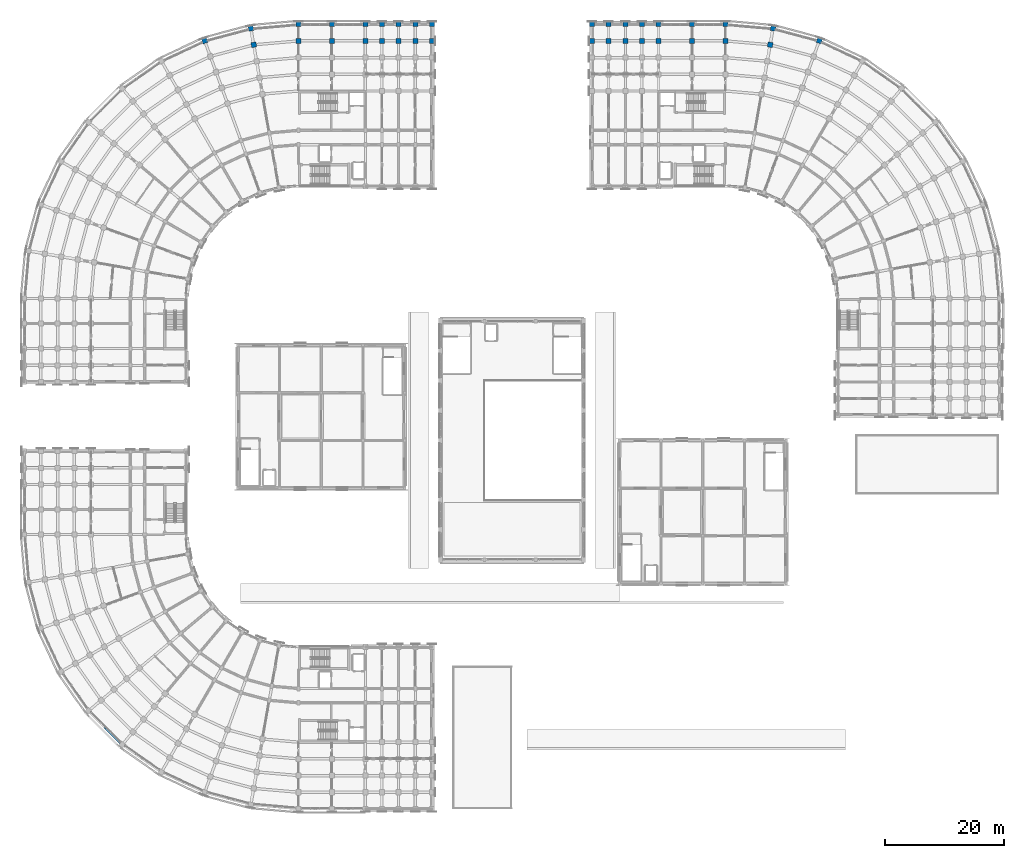
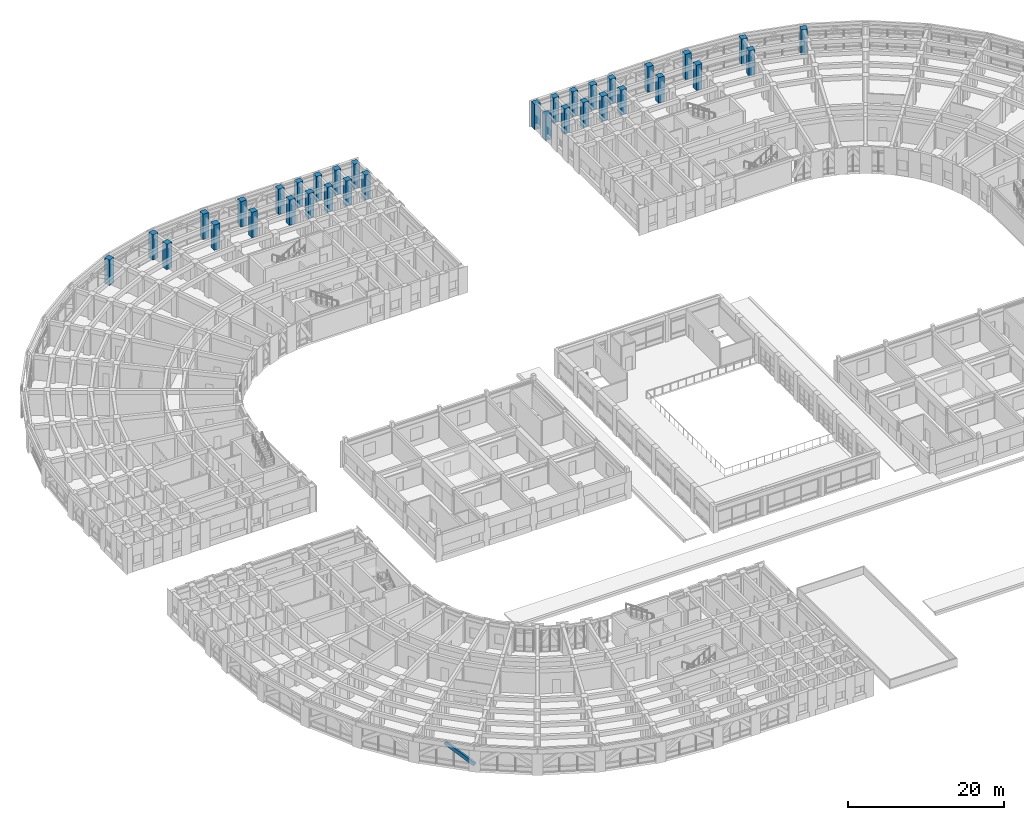
# One storey, part 4 of 97: 34 columns, 1 beam.
"""IFC4 building model written with IfcOpenShell, lengths in metres."""

from ifc_helpers import new_model, si_unit, direction, frame, origin, origin_2d, place, context, subcontext, project, spatial, rectangle, extrude, material, material_profile, profile_set, type_object, element, save


model = new_model("IFC4")

# Units and contexts
model_context = context("Model", 3, precision=1e-05, world=origin(), true_north=direction((0.0, 1.0)))
body_context = subcontext(model_context, "Body", "Model", "MODEL_VIEW")
ifc_project = project(units=[si_unit("LENGTHUNIT", "METRE"), si_unit("AREAUNIT", "SQUARE_METRE"), si_unit("VOLUMEUNIT", "CUBIC_METRE"), si_unit("PLANEANGLEUNIT", "RADIAN"), si_unit("MASSUNIT", "GRAM", prefix="KILO")], contexts=[model_context])

# Site, building, storey
site_placement = place(None, origin())
site = spatial("IfcSite", under=ifc_project, at=site_placement, CompositionType="ELEMENT")
building_placement = place(site_placement, origin())
building = spatial("IfcBuilding", under=site, at=building_placement, Name="Kiranvali Square Residences", CompositionType="ELEMENT")
storey_placement = place(building_placement, frame((0.0, 0.0, 4.5)))
storey = spatial("IfcBuildingStorey", under=building, at=storey_placement, Name="L01", CompositionType="ELEMENT", Elevation=4.5)

# Columns
ifc_material_1 = material(Name="Concrete M50 (50 MPa)", Category="concrete")
ifc_material_profile_1 = material_profile(ifc_material_1, rectangle(XDim=0.85009765625, YDim=0.85009765625, at=origin_2d()), Name="RC 850x850")
ifc_profile_set_1 = profile_set([ifc_material_profile_1], Name="Concrete M50 (50 MPa)")
column_type = type_object("IfcColumnType", Name="COL-M50-850", PredefinedType="COLUMN", material=ifc_profile_set_1)
for number, where, z_axis, x_axis, name in (
    (1, (48.199951171875, 131.0, 0.0), (0.0, 0.0, 1.0), (1.0, 0.0, 0.0), "Block A L01 radial column A00-R6"),
    (2, (48.199951171875, 133.800048828125, 0.0), (0.0, 0.0, 1.0), (1.0, 0.0, 0.0), "Block A L01 radial column A00-R7"),
    (3, (40.698486328125, 130.34375, 0.0), (0.0, 0.0, 1.0), (0.984807753012, 0.173648177667, 0.0), "Block A L01 radial column A01-R6"),
    (4, (40.212158203125, 133.10107421875, 0.0), (0.0, 0.0, 1.0), (0.984807753012, 0.173648177667, 0.0), "Block A L01 radial column A01-R7"),
    (5, (32.467041015625, 131.02587890625, 0.0), (0.0, 0.0, 1.0), (0.939692620786, 0.342020143326, 0.0), "Block A L01 radial column A02-R7"),
    (6, (53.800048828125, 131.0, 0.0), (0.0, 0.0, 1.0), (1.0, 0.0, 0.0), "Block A L01 core-front column U0-R6"),
    (7, (53.800048828125, 133.800048828125, 0.0), (0.0, 0.0, 1.0), (1.0, 0.0, 0.0), "Block A L01 core-front column U0-R7"),
    (8, (59.39990234375, 131.0, 0.0), (0.0, 0.0, 1.0), (1.0, 0.0, 0.0), "Block A L01 Arm 1 column U1-R6"),
    (9, (59.39990234375, 133.800048828125, 0.0), (0.0, 0.0, 1.0), (1.0, 0.0, 0.0), "Block A L01 Arm 1 column U1-R7"),
    (10, (62.199951171875, 131.0, 0.0), (0.0, 0.0, 1.0), (1.0, 0.0, 0.0), "Block A L01 Arm 1 column U2-R6"),
    (11, (62.199951171875, 133.800048828125, 0.0), (0.0, 0.0, 1.0), (1.0, 0.0, 0.0), "Block A L01 Arm 1 column U2-R7"),
    (12, (65.0, 131.0, 0.0), (0.0, 0.0, 1.0), (1.0, 0.0, 0.0), "Block A L01 Arm 1 column U3-R6"),
    (13, (65.0, 133.800048828125, 0.0), (0.0, 0.0, 1.0), (1.0, 0.0, 0.0), "Block A L01 Arm 1 column U3-R7"),
    (14, (67.800048828125, 131.0, 0.0), (0.0, 0.0, 1.0), (1.0, 0.0, 0.0), "Block A L01 Arm 1 column U4-R6"),
    (15, (67.800048828125, 133.800048828125, 0.0), (0.0, 0.0, 1.0), (1.0, 0.0, 0.0), "Block A L01 Arm 1 column U4-R7"),
    (16, (70.60009765625, 131.0, 0.0), (0.0, 0.0, 1.0), (1.0, 0.0, 0.0), "Block A L01 Arm 1 column U5-R6"),
    (17, (70.60009765625, 133.800048828125, 0.0), (0.0, 0.0, 1.0), (1.0, 0.0, 0.0), "Block A L01 Arm 1 column U5-R7"),
    (18, (119.800048828125, 131.0, 0.0), (0.0, 0.0, 1.0), (1.0, 0.0, 0.0), "Block B L01 radial column A00-R6"),
    (19, (119.800048828125, 133.800048828125, 0.0), (0.0, 0.0, 1.0), (1.0, 0.0, 0.0), "Block B L01 radial column A00-R7"),
    (20, (127.301513671875, 130.34375, 0.0), (0.0, 0.0, 1.0), (-0.984807753012, 0.173648177667, 0.0), "Block B L01 radial column A01-R6"),
    (21, (127.787841796875, 133.10107421875, 0.0), (0.0, 0.0, 1.0), (-0.984807753012, 0.173648177667, 0.0), "Block B L01 radial column A01-R7"),
    (22, (135.532958984375, 131.02587890625, 0.0), (0.0, 0.0, 1.0), (-0.939692620786, 0.342020143326, 0.0), "Block B L01 radial column A02-R7"),
    (23, (114.199951171875, 131.0, 0.0), (0.0, 0.0, 1.0), (1.0, 0.0, 0.0), "Block B L01 core-front column U0-R6"),
    (24, (114.199951171875, 133.800048828125, 0.0), (0.0, 0.0, 1.0), (1.0, 0.0, 0.0), "Block B L01 core-front column U0-R7"),
    (25, (108.60009765625, 131.0, 0.0), (0.0, 0.0, 1.0), (1.0, 0.0, 0.0), "Block B L01 Arm 1 column U1-R6"),
    (26, (108.60009765625, 133.800048828125, 0.0), (0.0, 0.0, 1.0), (1.0, 0.0, 0.0), "Block B L01 Arm 1 column U1-R7"),
    (27, (105.800048828125, 131.0, 0.0), (0.0, 0.0, 1.0), (1.0, 0.0, 0.0), "Block B L01 Arm 1 column U2-R6"),
    (28, (105.800048828125, 133.800048828125, 0.0), (0.0, 0.0, 1.0), (1.0, 0.0, 0.0), "Block B L01 Arm 1 column U2-R7"),
    (29, (103.0, 131.0, 0.0), (0.0, 0.0, 1.0), (1.0, 0.0, 0.0), "Block B L01 Arm 1 column U3-R6"),
    (30, (103.0, 133.800048828125, 0.0), (0.0, 0.0, 1.0), (1.0, 0.0, 0.0), "Block B L01 Arm 1 column U3-R7"),
    (31, (100.199951171875, 131.0, 0.0), (0.0, 0.0, 1.0), (1.0, 0.0, 0.0), "Block B L01 Arm 1 column U4-R6"),
    (32, (100.199951171875, 133.800048828125, 0.0), (0.0, 0.0, 1.0), (1.0, 0.0, 0.0), "Block B L01 Arm 1 column U4-R7"),
    (33, (97.39990234375, 131.0, 0.0), (0.0, 0.0, 1.0), (1.0, 0.0, 0.0), "Block B L01 Arm 1 column U5-R6"),
    (34, (97.39990234375, 133.800048828125, 0.0), (0.0, 0.0, 1.0), (1.0, 0.0, 0.0), "Block B L01 Arm 1 column U5-R7"),
):
    element("IfcColumn", number, at=place(storey_placement, frame(where, z_axis=z_axis, x_axis=x_axis)), inside=storey, type_object=column_type, Name=name, PredefinedType="COLUMN", context=body_context, shape_type="SweptSolid", body=[
        extrude(rectangle(XDim=0.85009765625, YDim=0.85009765625, at=origin_2d()), origin(), (0.0, 0.0, 1.0), 3.97998046875),
    ])

# Beam
ifc_material_2 = material(Name="Concrete M40 (40 MPa)", Category="concrete")
ifc_material_profile_2 = material_profile(ifc_material_2, rectangle(XDim=0.35009765625, YDim=0.5, at=origin_2d()), Name="RC 350x500")
ifc_profile_set_2 = profile_set([ifc_material_profile_2], Name="Concrete M40 (40 MPa)")
beam_type = type_object("IfcBeamType", Name="AR-M40-350x500", PredefinedType="USERDEFINED", material=ifc_profile_set_2)
beam_placement = place(storey_placement, frame((18.603515625, 12.990234375, 0.89990234375), z_axis=(-0.581233735807, 0.581233735807, 0.569503897019), x_axis=(-0.707106781187, -0.707106781187, 0.0)))
element("IfcBeam", 35, at=beam_placement, inside=storey, type_object=beam_type, Name="Classical pointed Ottoman arch rib ARCH-C-CRV-7-04.1", ObjectType="ARCH RIB", PredefinedType="USERDEFINED", context=body_context, shape_type="SweptSolid", body=[
    extrude(rectangle(XDim=0.35009765625, YDim=0.5, at=origin_2d()), origin(), (0.0, 0.0, 1.0), 4.828857421875),
])

save(model, "model.ifc")
